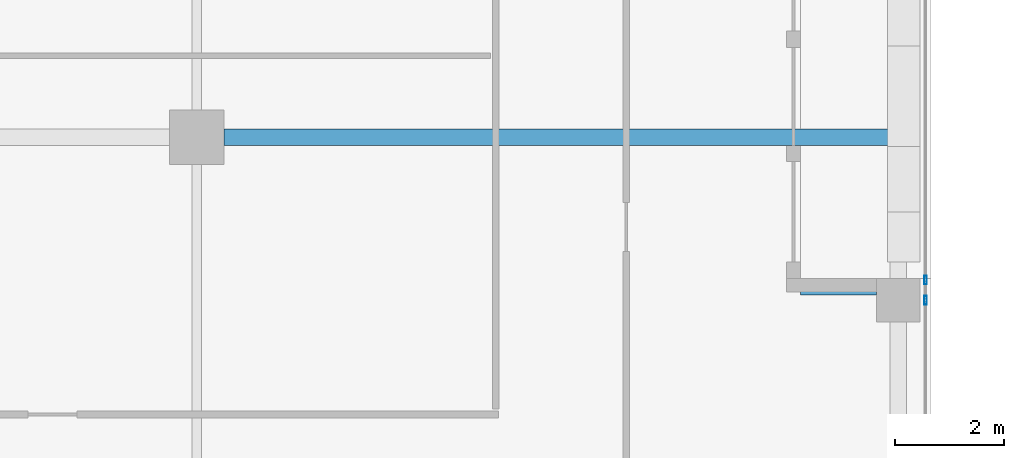
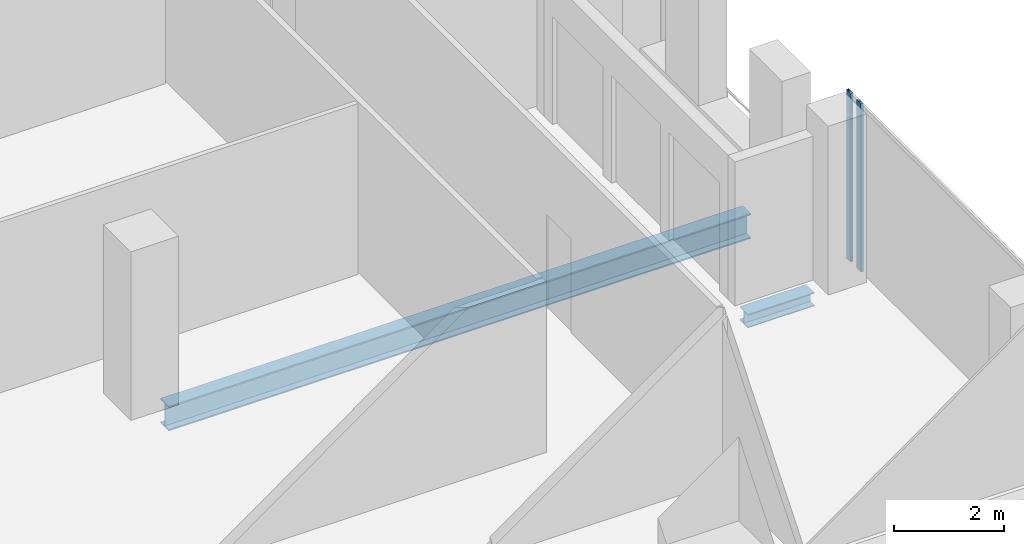
# One storey, part 9 of 29: 2 beams, 2 members, 1 element without a shape of its own.
"""IFC4 building model written with IfcOpenShell, lengths in metres."""

from ifc_helpers import new_model, si_unit, direction, frame, origin, origin_2d, place, context, subcontext, project, spatial, hollow_rectangle, i_section, extrude, source, transform, mapped, material, material_profile, profile_set, type_object, element, aggregate, save


model = new_model("IFC4")

# Units and contexts
model_context = context("Model", 3, precision=1e-05, world=origin(), true_north=direction((0.0, 1.0)))
body_context = subcontext(model_context, "Body", "Model", "MODEL_VIEW")
ifc_project = project(units=[si_unit("LENGTHUNIT", "METRE"), si_unit("AREAUNIT", "SQUARE_METRE"), si_unit("VOLUMEUNIT", "CUBIC_METRE"), si_unit("PLANEANGLEUNIT", "RADIAN"), si_unit("MASSUNIT", "GRAM", prefix="KILO")], contexts=[model_context])

# Site, building, storey
site_placement = place(None, origin())
site = spatial("IfcSite", under=ifc_project, at=site_placement, CompositionType="ELEMENT")
building_placement = place(site_placement, origin())
building = spatial("IfcBuilding", under=site, at=building_placement, Name="Khomas Fold Tower", CompositionType="ELEMENT")
storey_placement = place(building_placement, frame((0.0, 0.0, 290.199951171875)))
storey = spatial("IfcBuildingStorey", under=building, at=storey_placement, Name="L65", CompositionType="ELEMENT", Elevation=290.199951171875)

# Beams
ifc_material_1 = material(Name="Steel S355", Category="steel")
ifc_material_profile_1 = material_profile(ifc_material_1, i_section(OverallWidth=0.300048828125, OverallDepth=0.550048828125, WebThickness=0.014892578125, FlangeThickness=0.029052734375, at=origin_2d()), Name="HE 550 B")
ifc_profile_set_1 = profile_set([ifc_material_profile_1], Name="Steel S355")
beam_type_1 = type_object("IfcBeamType", Name="HE 550 B beam GB4", PredefinedType="BEAM", material=ifc_profile_set_1)
shared_shape_1 = source(origin(), body_context, "Body", "SweptSolid", [
    extrude(i_section(OverallWidth=0.300048828125, OverallDepth=0.550048828125, WebThickness=0.014892578125, FlangeThickness=0.029052734375, at=origin_2d()), origin(), (0.0, 0.0, 1.0), 12.25),
])
beam_1_placement = place(storey_placement, frame((35.0, 22.5, -0.52490234375), z_axis=(1.0, 0.0, 0.0), x_axis=(0.0, 1.0, 0.0)))
element("IfcBeam", 1, at=beam_1_placement, inside=storey, type_object=beam_type_1, Name="GB4", PredefinedType="BEAM", context=body_context, shape_type="MappedRepresentation", body=[
    mapped(shared_shape_1, transform((0.0, 0.0, 0.0))),
])
ifc_material_2 = material(Name="Steel S355", Category="steel")
ifc_material_profile_2 = material_profile(ifc_material_2, i_section(OverallWidth=0.300048828125, OverallDepth=0.300048828125, WebThickness=0.010986328125, FlangeThickness=0.01904296875, at=origin_2d()), Name="HE 300 B")
ifc_profile_set_2 = profile_set([ifc_material_profile_2], Name="Steel S355")
beam_type_2 = type_object("IfcBeamType", Name="HE 300 B beam BB1", PredefinedType="BEAM", material=ifc_profile_set_2)
shared_shape_2 = source(origin(), body_context, "Body", "SweptSolid", [
    extrude(i_section(OverallWidth=0.300048828125, OverallDepth=0.300048828125, WebThickness=0.010986328125, FlangeThickness=0.01904296875, at=origin_2d()), origin(), (0.0, 0.0, 1.0), 1.39990234375),
])
beam_2_placement = place(storey_placement, frame((45.60009765625, 19.75, -0.39990234375), z_axis=(1.0, 0.0, 0.0), x_axis=(0.0, 1.0, 0.0)))
element("IfcBeam", 2, at=beam_2_placement, inside=storey, type_object=beam_type_2, Name="BB1", PredefinedType="BEAM", context=body_context, shape_type="MappedRepresentation", body=[
    mapped(shared_shape_2, transform((0.0, 0.0, 0.0))),
])

# Curtain wall, members
ifc_material_3 = material(Name="Aluminium framed double glazing", Category="aluminium")
curtain_wall_type = type_object("IfcCurtainWallType", Name="SK-Unitised clear-glass wall, upper floors CW3", PredefinedType="NOTDEFINED", material=ifc_material_3)
curtain_wall_placement = place(storey_placement, origin())
curtain_wall = element("IfcCurtainWall", 3, at=curtain_wall_placement, inside=storey, type_object=curtain_wall_type, Name="CW3 run L65 03-0", PredefinedType="NOTDEFINED")
ifc_material_4 = material(Name="Aluminium", Category="aluminium")
ifc_material_profile_3 = material_profile(ifc_material_4, hollow_rectangle(XDim=0.050048828125, YDim=0.159912109375, WallThickness=0.00390625, at=origin_2d()), Name="SK-Unitised clear-glass wall, upper floors mullion CW3-M")
ifc_profile_set_3 = profile_set([ifc_material_profile_3], Name="Aluminium")
member_type = type_object("IfcMemberType", Name="SK-Unitised clear-glass wall, upper floors mullion CW3-M", PredefinedType="MULLION", material=ifc_profile_set_3)
shared_shape_3 = source(origin(), body_context, "Body", "SweptSolid", [
    extrude(hollow_rectangle(XDim=0.050048828125, YDim=0.159912109375, WallThickness=0.00390625, at=origin_2d()), origin(), (0.0, 0.0, 1.0), 3.75),
])
member_1_placement = place(storey_placement, frame((47.89990234375, 19.5, 0.0), z_axis=(0.0, 0.0, 1.0), x_axis=(-1.0, 0.0, 0.0)))
member_1 = element("IfcMember", 4, at=member_1_placement, type_object=member_type, Name="CW3 mullion 3", PredefinedType="MULLION", context=body_context, shape_type="MappedRepresentation", body=[
    mapped(shared_shape_3, transform((0.0, 0.0, 0.0))),
])
member_2_placement = place(storey_placement, frame((47.89990234375, 19.875, 0.0), z_axis=(0.0, 0.0, 1.0), x_axis=(-1.0, 0.0, 0.0)))
member_2 = element("IfcMember", 5, at=member_2_placement, type_object=member_type, Name="CW3 mullion 4", PredefinedType="MULLION", context=body_context, shape_type="MappedRepresentation", body=[
    mapped(shared_shape_3, transform((0.0, 0.0, 0.0))),
])
aggregate(curtain_wall, [member_1, member_2])

save(model, "model.ifc")
